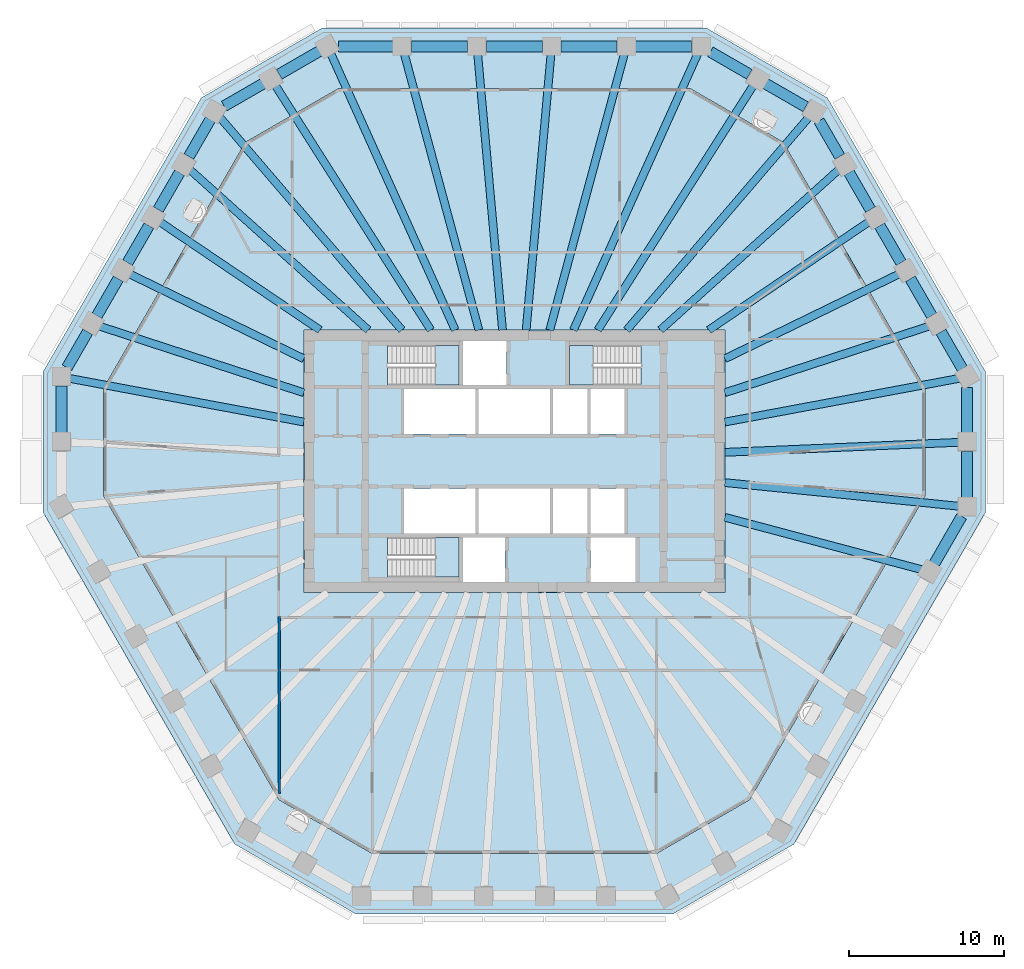
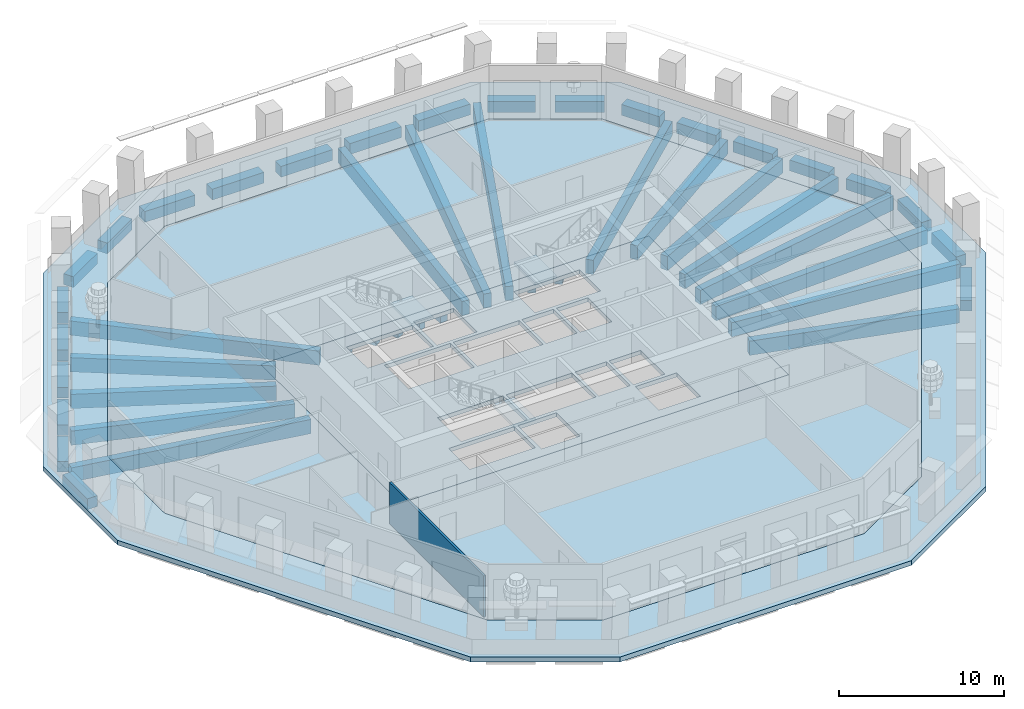
# One storey, part 2 of 13: 46 beams, 6 slabs, 1 wall, 3 elements without a shape of their own.
"""IFC4 building model written with IfcOpenShell, lengths in metres."""

from ifc_helpers import new_model, si_unit, direction, frame, frame_2d, origin, origin_2d, place, context, subcontext, project, spatial, polyline, rectangle, outline, extrude, material, layer, layer_set, material_profile, profile_set, type_object, element, aggregate, save


model = new_model("IFC4")

# Units and contexts
model_context = context("Model", 3, precision=1e-05, world=origin(), true_north=direction((0.0, 1.0)))
body_context = subcontext(model_context, "Body", "Model", "MODEL_VIEW")
ifc_project = project(units=[si_unit("LENGTHUNIT", "METRE"), si_unit("AREAUNIT", "SQUARE_METRE"), si_unit("VOLUMEUNIT", "CUBIC_METRE"), si_unit("PLANEANGLEUNIT", "RADIAN"), si_unit("MASSUNIT", "GRAM", prefix="KILO")], contexts=[model_context])

# Site, building, storey
site_placement = place(None, origin())
site = spatial("IfcSite", under=ifc_project, at=site_placement, CompositionType="ELEMENT")
building_placement = place(site_placement, origin())
building = spatial("IfcBuilding", under=site, at=building_placement, Name="Frailejon Research Tower", CompositionType="ELEMENT")
storey_placement = place(building_placement, frame((0.0, 0.0, 184.800048828125)))
storey = spatial("IfcBuildingStorey", under=building, at=storey_placement, Name="L40", CompositionType="ELEMENT", Elevation=184.800048828125)

# Beams
ifc_material_1 = material(Name="Concrete C60/75", Category="concrete")
ifc_material_profile_1 = material_profile(ifc_material_1, rectangle(XDim=0.5, YDim=1.050048828125, at=origin_2d()), Name="Girder 500x1050")
ifc_profile_set_1 = profile_set([ifc_material_profile_1], Name="Concrete C60/75")
beam_type_1 = type_object("IfcBeamType", Name="Girder 500x1050", PredefinedType="BEAM", material=ifc_profile_set_1)
beam_1_placement = place(storey_placement, frame((28.680419921875, -2.897705078125, -0.824951171875), z_axis=(-0.994933978028, 0.100530489728, 0.0), x_axis=(-0.100530489728, -0.994933978028, 0.0)))
element("IfcBeam", 1, at=beam_1_placement, inside=storey, type_object=beam_type_1, Name="Girder 500x1050", PredefinedType="BEAM", context=body_context, shape_type="SweptSolid", body=[
    extrude(rectangle(XDim=0.5, YDim=1.050048828125, at=origin_2d()), origin(), (0.0, 0.0, 1.0), 15.20751953125),
])
beam_2_placement = place(storey_placement, frame((28.68115234375, 1.225341796875, -0.824951171875), z_axis=(-0.999088512393, -0.042686583423, 0.0), x_axis=(0.042686583423, -0.999088512393, 0.0)))
element("IfcBeam", 2, at=beam_2_placement, inside=storey, type_object=beam_type_1, Name="Girder 500x1050", PredefinedType="BEAM", context=body_context, shape_type="SweptSolid", body=[
    extrude(rectangle(XDim=0.5, YDim=1.050048828125, at=origin_2d()), origin(), (0.0, 0.0, 1.0), 15.14501953125),
])
beam_3_placement = place(storey_placement, frame((28.6533203125, 5.343017578125, -0.824951171875), z_axis=(-0.983053941142, -0.183316526276, 0.0), x_axis=(0.183316526276, -0.983053941142, 0.0)))
element("IfcBeam", 3, at=beam_3_placement, inside=storey, type_object=beam_type_1, Name="Girder 500x1050", PredefinedType="BEAM", context=body_context, shape_type="SweptSolid", body=[
    extrude(rectangle(XDim=0.5, YDim=1.050048828125, at=origin_2d()), origin(), (0.0, 0.0, 1.0), 15.363525390625),
])
beam_4_placement = place(storey_placement, frame((26.718505859375, 8.70458984375, -0.824951171875), z_axis=(-0.950810228378, -0.309773965354, 0.0), x_axis=(0.309773965354, -0.950810228378, 0.0)))
element("IfcBeam", 4, at=beam_4_placement, inside=storey, type_object=beam_type_1, Name="Girder 500x1050", PredefinedType="BEAM", context=body_context, shape_type="SweptSolid", body=[
    extrude(rectangle(XDim=0.5, YDim=1.050048828125, at=origin_2d()), origin(), (0.0, 0.0, 1.0), 13.849609375),
])
beam_5_placement = place(storey_placement, frame((24.781005859375, 12.06640625, -0.824951171875), z_axis=(-0.899083966775, -0.43777622216, 0.0), x_axis=(0.43777622216, -0.899083966775, 0.0)))
element("IfcBeam", 5, at=beam_5_placement, inside=storey, type_object=beam_type_1, Name="Girder 500x1050", PredefinedType="BEAM", context=body_context, shape_type="SweptSolid", body=[
    extrude(rectangle(XDim=0.5, YDim=1.050048828125, at=origin_2d()), origin(), (0.0, 0.0, 1.0), 12.491455078125),
])
beam_6_placement = place(storey_placement, frame((22.84033203125, 15.427490234375, -0.824951171875), z_axis=(-0.828678581186, -0.5597247619, 0.0), x_axis=(0.5597247619, -0.828678581186, 0.0)))
element("IfcBeam", 6, at=beam_6_placement, inside=storey, type_object=beam_type_1, Name="Girder 500x1050", PredefinedType="BEAM", context=body_context, shape_type="SweptSolid", body=[
    extrude(rectangle(XDim=0.5, YDim=1.050048828125, at=origin_2d()), origin(), (0.0, 0.0, 1.0), 12.466064453125),
])
beam_7_placement = place(storey_placement, frame((20.897705078125, 18.78662109375, -0.824951171875), z_axis=(-0.743673254455, -0.668543260088, 0.0), x_axis=(0.668543260088, -0.743673254455, 0.0)))
element("IfcBeam", 7, at=beam_7_placement, inside=storey, type_object=beam_type_1, Name="Girder 500x1050", PredefinedType="BEAM", context=body_context, shape_type="SweptSolid", body=[
    extrude(rectangle(XDim=0.5, YDim=1.050048828125, at=origin_2d()), origin(), (0.0, 0.0, 1.0), 15.46142578125),
])
beam_8_placement = place(storey_placement, frame((18.970703125, 22.16259765625, -0.824951171875), z_axis=(-0.650283302156, -0.759691797334, 0.0), x_axis=(0.759691797334, -0.650283302156, 0.0)))
element("IfcBeam", 8, at=beam_8_placement, inside=storey, type_object=beam_type_1, Name="Girder 500x1050", PredefinedType="BEAM", context=body_context, shape_type="SweptSolid", body=[
    extrude(rectangle(XDim=0.5, YDim=1.050048828125, at=origin_2d()), origin(), (0.0, 0.0, 1.0), 18.05029296875),
])
beam_9_placement = place(storey_placement, frame((15.401611328125, 24.22607421875, -0.824951171875), z_axis=(-0.536501934666, -0.843899089998, 0.0), x_axis=(0.843899089998, -0.536501934666, 0.0)))
element("IfcBeam", 9, at=beam_9_placement, inside=storey, type_object=beam_type_1, Name="Girder 500x1050", PredefinedType="BEAM", context=body_context, shape_type="SweptSolid", body=[
    extrude(rectangle(XDim=0.5, YDim=1.050048828125, at=origin_2d()), origin(), (0.0, 0.0, 1.0), 18.6943359375),
])
beam_10_placement = place(storey_placement, frame((11.808349609375, 26.23681640625, -0.824951171875), z_axis=(-0.410419322872, -0.911896912712, 0.0), x_axis=(0.911896912712, -0.410419322872, 0.0)))
element("IfcBeam", 10, at=beam_10_placement, inside=storey, type_object=beam_type_1, Name="Girder 500x1050", PredefinedType="BEAM", context=body_context, shape_type="SweptSolid", body=[
    extrude(rectangle(XDim=0.5, YDim=1.050048828125, at=origin_2d()), origin(), (0.0, 0.0, 1.0), 19.50537109375),
])
beam_11_placement = place(storey_placement, frame((7.087158203125, 26.244873046875, -0.824951171875), z_axis=(-0.260705850709, -0.965418282096, 0.0), x_axis=(0.965418282096, -0.260705850709, 0.0)))
element("IfcBeam", 11, at=beam_11_placement, inside=storey, type_object=beam_type_1, Name="Girder 500x1050", PredefinedType="BEAM", context=body_context, shape_type="SweptSolid", body=[
    extrude(rectangle(XDim=0.5, YDim=1.050048828125, at=origin_2d()), origin(), (0.0, 0.0, 1.0), 18.432373046875),
])
for number, where, z_axis, x_axis, name in (
    (12, (2.36279296875, 26.24951171875, -0.824951171875), (-0.08965626449, -0.995972767819, 0.0), (0.995972767819, -0.08965626449, 0.0), "Girder 500x1050"),
    (13, (-2.36279296875, 26.24951171875, -0.824951171875), (0.08965626449, -0.995972767819, 0.0), (0.995972767819, 0.08965626449, 0.0), "Girder 500x1050"),
):
    element("IfcBeam", number, at=place(storey_placement, frame(where, z_axis=z_axis, x_axis=x_axis)), inside=storey, type_object=beam_type_1, Name=name, PredefinedType="BEAM", context=body_context, shape_type="SweptSolid", body=[
        extrude(rectangle(XDim=0.5, YDim=1.050048828125, at=origin_2d()), origin(), (0.0, 0.0, 1.0), 17.87158203125),
    ])
beam_12_placement = place(storey_placement, frame((-7.087158203125, 26.244873046875, -0.824951171875), z_axis=(0.260705850709, -0.965418282096, 0.0), x_axis=(0.965418282096, 0.260705850709, 0.0)))
element("IfcBeam", 14, at=beam_12_placement, inside=storey, type_object=beam_type_1, Name="Girder 500x1050", PredefinedType="BEAM", context=body_context, shape_type="SweptSolid", body=[
    extrude(rectangle(XDim=0.5, YDim=1.050048828125, at=origin_2d()), origin(), (0.0, 0.0, 1.0), 18.432373046875),
])
beam_13_placement = place(storey_placement, frame((-11.8310546875, 26.286865234375, -0.824951171875), z_axis=(0.410426953791, -0.91189347821, 0.0), x_axis=(0.91189347821, 0.410426953791, 0.0)))
element("IfcBeam", 15, at=beam_13_placement, inside=storey, type_object=beam_type_1, Name="Girder 500x1050", PredefinedType="BEAM", context=body_context, shape_type="SweptSolid", body=[
    extrude(rectangle(XDim=0.5, YDim=1.050048828125, at=origin_2d()), origin(), (0.0, 0.0, 1.0), 19.560302734375),
])
beam_14_placement = place(storey_placement, frame((-15.401611328125, 24.22607421875, -0.824951171875), z_axis=(0.536501934666, -0.843899089998, 0.0), x_axis=(0.843899089998, 0.536501934666, 0.0)))
element("IfcBeam", 16, at=beam_14_placement, inside=storey, type_object=beam_type_1, Name="Girder 500x1050", PredefinedType="BEAM", context=body_context, shape_type="SweptSolid", body=[
    extrude(rectangle(XDim=0.5, YDim=1.050048828125, at=origin_2d()), origin(), (0.0, 0.0, 1.0), 18.6943359375),
])
beam_15_placement = place(storey_placement, frame((-18.95361328125, 22.14306640625, -0.824951171875), z_axis=(0.650271409204, -0.759701977338, 0.0), x_axis=(0.759701977338, 0.650271409204, 0.0)))
element("IfcBeam", 17, at=beam_15_placement, inside=storey, type_object=beam_type_1, Name="Girder 500x1050", PredefinedType="BEAM", context=body_context, shape_type="SweptSolid", body=[
    extrude(rectangle(XDim=0.5, YDim=1.050048828125, at=origin_2d()), origin(), (0.0, 0.0, 1.0), 18.0244140625),
])
beam_16_placement = place(storey_placement, frame((-20.897705078125, 18.78662109375, -0.824951171875), z_axis=(0.743673254455, -0.668543260088, 0.0), x_axis=(0.668543260088, 0.743673254455, 0.0)))
element("IfcBeam", 18, at=beam_16_placement, inside=storey, type_object=beam_type_1, Name="Girder 500x1050", PredefinedType="BEAM", context=body_context, shape_type="SweptSolid", body=[
    extrude(rectangle(XDim=0.5, YDim=1.050048828125, at=origin_2d()), origin(), (0.0, 0.0, 1.0), 15.46142578125),
])
beam_17_placement = place(storey_placement, frame((-22.84033203125, 15.427490234375, -0.824951171875), z_axis=(0.828678581186, -0.5597247619, 0.0), x_axis=(0.5597247619, 0.828678581186, 0.0)))
element("IfcBeam", 19, at=beam_17_placement, inside=storey, type_object=beam_type_1, Name="Girder 500x1050", PredefinedType="BEAM", context=body_context, shape_type="SweptSolid", body=[
    extrude(rectangle(XDim=0.5, YDim=1.050048828125, at=origin_2d()), origin(), (0.0, 0.0, 1.0), 12.466064453125),
])
beam_18_placement = place(storey_placement, frame((-24.781005859375, 12.06640625, -0.824951171875), z_axis=(0.899083966775, -0.43777622216, 0.0), x_axis=(0.43777622216, 0.899083966775, 0.0)))
element("IfcBeam", 20, at=beam_18_placement, inside=storey, type_object=beam_type_1, Name="Girder 500x1050", PredefinedType="BEAM", context=body_context, shape_type="SweptSolid", body=[
    extrude(rectangle(XDim=0.5, YDim=1.050048828125, at=origin_2d()), origin(), (0.0, 0.0, 1.0), 12.491455078125),
])
beam_19_placement = place(storey_placement, frame((-26.718505859375, 8.70458984375, -0.824951171875), z_axis=(0.950810228378, -0.309773965354, 0.0), x_axis=(0.309773965354, 0.950810228378, 0.0)))
element("IfcBeam", 21, at=beam_19_placement, inside=storey, type_object=beam_type_1, Name="Girder 500x1050", PredefinedType="BEAM", context=body_context, shape_type="SweptSolid", body=[
    extrude(rectangle(XDim=0.5, YDim=1.050048828125, at=origin_2d()), origin(), (0.0, 0.0, 1.0), 13.849609375),
])
beam_20_placement = place(storey_placement, frame((-28.6787109375, 5.34765625, -0.824951171875), z_axis=(0.983055066274, -0.183310492533, 0.0), x_axis=(0.183310492533, 0.983055066274, 0.0)))
element("IfcBeam", 22, at=beam_20_placement, inside=storey, type_object=beam_type_1, Name="Girder 500x1050", PredefinedType="BEAM", context=body_context, shape_type="SweptSolid", body=[
    extrude(rectangle(XDim=0.5, YDim=1.050048828125, at=origin_2d()), origin(), (0.0, 0.0, 1.0), 15.389404296875),
])
beam_21_placement = place(storey_placement, frame((26.272216796875, -6.98486328125, -0.824951171875), z_axis=(-0.966423984954, 0.256952683008, 0.0), x_axis=(-0.256952683008, -0.966423984954, 0.0)))
element("IfcBeam", 23, at=beam_21_placement, inside=storey, type_object=beam_type_1, Name="Girder 500x1050", PredefinedType="BEAM", context=body_context, shape_type="SweptSolid", body=[
    extrude(rectangle(XDim=0.5, YDim=1.050048828125, at=origin_2d()), origin(), (0.0, 0.0, 1.0), 13.1640625),
])
ifc_material_2 = material(Name="Concrete C60/75", Category="concrete")
ifc_material_profile_2 = material_profile(ifc_material_2, rectangle(XDim=0.699951171875, YDim=0.800048828125, at=origin_2d()), Name="Spandrel 700x800")
ifc_profile_set_2 = profile_set([ifc_material_profile_2], Name="Concrete C60/75")
beam_type_2 = type_object("IfcBeamType", Name="Spandrel 700x800", PredefinedType="BEAM", material=ifc_profile_set_2)
beam_22_placement = place(storey_placement, frame((29.13134765625, -2.343017578125, -0.75), z_axis=(0.0, 1.0, 0.0), x_axis=(-1.0, 0.0, 0.0)))
element("IfcBeam", 24, at=beam_22_placement, inside=storey, type_object=beam_type_2, Name="Spandrel 700x800", PredefinedType="BEAM", context=body_context, shape_type="SweptSolid", body=[
    extrude(rectangle(XDim=0.699951171875, YDim=0.800048828125, at=origin_2d()), origin(), (0.0, 0.0, 1.0), 2.987548828125),
])
beam_23_placement = place(storey_placement, frame((29.13134765625, 1.844482421875, -0.75), z_axis=(0.0, 1.0, 0.0), x_axis=(-1.0, 0.0, 0.0)))
element("IfcBeam", 25, at=beam_23_placement, inside=storey, type_object=beam_type_2, Name="Spandrel 700x800", PredefinedType="BEAM", context=body_context, shape_type="SweptSolid", body=[
    extrude(rectangle(XDim=0.699951171875, YDim=0.800048828125, at=origin_2d()), origin(), (0.0, 0.0, 1.0), 2.894775390625),
])
for number, where, z_axis, x_axis, name in (
    (26, (28.831298828125, 5.95166015625, -0.75), (-0.499994514761, 0.866028570666, 0.0), (-0.866028570666, -0.499994514761, 0.0), "Spandrel 700x800"),
    (27, (26.85888671875, 9.36767578125, -0.75), (-0.499927796446, 0.866067086513, 0.0), (-0.866067086513, -0.499927796446, 0.0), "Spandrel 700x800"),
    (28, (24.88671875, 12.78369140625, -0.75), (-0.499994514761, 0.866028570666, 0.0), (-0.866028570666, -0.499994514761, 0.0), "Spandrel 700x800"),
    (29, (22.91455078125, 16.199951171875, -0.75), (-0.499994514761, 0.866028570666, 0.0), (-0.866028570666, -0.499994514761, 0.0), "Spandrel 700x800"),
):
    element("IfcBeam", number, at=place(storey_placement, frame(where, z_axis=z_axis, x_axis=x_axis)), inside=storey, type_object=beam_type_2, Name=name, PredefinedType="BEAM", context=body_context, shape_type="SweptSolid", body=[
        extrude(rectangle(XDim=0.699951171875, YDim=0.800048828125, at=origin_2d()), origin(), (0.0, 0.0, 1.0), 2.74462890625),
    ])
beam_24_placement = place(storey_placement, frame((20.942138671875, 19.615966796875, -0.75), z_axis=(-0.500030615261, 0.866007727334, 0.0), x_axis=(-0.866007727334, -0.500030615261, 0.0)))
element("IfcBeam", 30, at=beam_24_placement, inside=storey, type_object=beam_type_2, Name="Spandrel 700x800", PredefinedType="BEAM", context=body_context, shape_type="SweptSolid", body=[
    extrude(rectangle(XDim=0.699951171875, YDim=0.800048828125, at=origin_2d()), origin(), (0.0, 0.0, 1.0), 2.651611328125),
])
beam_25_placement = place(storey_placement, frame((18.750244140625, 22.8125, -0.75), z_axis=(-0.86603180189, 0.499988917992, 0.0), x_axis=(-0.499988917992, -0.86603180189, 0.0)))
element("IfcBeam", 31, at=beam_25_placement, inside=storey, type_object=beam_type_2, Name="Spandrel 700x800", PredefinedType="BEAM", context=body_context, shape_type="SweptSolid", body=[
    extrude(rectangle(XDim=0.699951171875, YDim=0.800048828125, at=origin_2d()), origin(), (0.0, 0.0, 1.0), 2.9873046875),
])
beam_26_placement = place(storey_placement, frame((15.123779296875, 24.90625, -0.75), z_axis=(-0.866033897268, 0.499985288567, 0.0), x_axis=(-0.499985288567, -0.866033897268, 0.0)))
element("IfcBeam", 32, at=beam_26_placement, inside=storey, type_object=beam_type_2, Name="Spandrel 700x800", PredefinedType="BEAM", context=body_context, shape_type="SweptSolid", body=[
    extrude(rectangle(XDim=0.699951171875, YDim=0.800048828125, at=origin_2d()), origin(), (0.0, 0.0, 1.0), 2.89453125),
])
beam_27_placement = place(storey_placement, frame((11.4169921875, 26.699951171875, -0.75), z_axis=(-1.0, 0.0, 0.0), x_axis=(0.0, -1.0, 0.0)))
element("IfcBeam", 33, at=beam_27_placement, inside=storey, type_object=beam_type_2, Name="Spandrel 700x800", PredefinedType="BEAM", context=body_context, shape_type="SweptSolid", body=[
    extrude(rectangle(XDim=0.699951171875, YDim=0.800048828125, at=origin_2d()), origin(), (0.0, 0.0, 1.0), 3.60693359375),
])
beam_28_placement = place(storey_placement, frame((6.610107421875, 26.699951171875, -0.75), z_axis=(-1.0, 0.0, 0.0), x_axis=(0.0, -1.0, 0.0)))
element("IfcBeam", 34, at=beam_28_placement, inside=storey, type_object=beam_type_2, Name="Spandrel 700x800", PredefinedType="BEAM", context=body_context, shape_type="SweptSolid", body=[
    extrude(rectangle(XDim=0.699951171875, YDim=0.800048828125, at=origin_2d()), origin(), (0.0, 0.0, 1.0), 3.606689453125),
])
beam_29_placement = place(storey_placement, frame((1.803466796875, 26.699951171875, -0.75), z_axis=(-1.0, 0.0, 0.0), x_axis=(0.0, -1.0, 0.0)))
element("IfcBeam", 35, at=beam_29_placement, inside=storey, type_object=beam_type_2, Name="Spandrel 700x800", PredefinedType="BEAM", context=body_context, shape_type="SweptSolid", body=[
    extrude(rectangle(XDim=0.699951171875, YDim=0.800048828125, at=origin_2d()), origin(), (0.0, 0.0, 1.0), 3.60693359375),
])
beam_30_placement = place(storey_placement, frame((-3.00341796875, 26.699951171875, -0.75), z_axis=(-1.0, 0.0, 0.0), x_axis=(0.0, -1.0, 0.0)))
element("IfcBeam", 36, at=beam_30_placement, inside=storey, type_object=beam_type_2, Name="Spandrel 700x800", PredefinedType="BEAM", context=body_context, shape_type="SweptSolid", body=[
    extrude(rectangle(XDim=0.699951171875, YDim=0.800048828125, at=origin_2d()), origin(), (0.0, 0.0, 1.0), 3.606689453125),
])
beam_31_placement = place(storey_placement, frame((-7.81005859375, 26.699951171875, -0.75), z_axis=(-1.0, 0.0, 0.0), x_axis=(0.0, -1.0, 0.0)))
element("IfcBeam", 37, at=beam_31_placement, inside=storey, type_object=beam_type_2, Name="Spandrel 700x800", PredefinedType="BEAM", context=body_context, shape_type="SweptSolid", body=[
    extrude(rectangle(XDim=0.699951171875, YDim=0.800048828125, at=origin_2d()), origin(), (0.0, 0.0, 1.0), 3.51416015625),
])
beam_32_placement = place(storey_placement, frame((-12.53662109375, 26.39990234375, -0.75), z_axis=(-0.86603180189, -0.499988917992, 0.0), x_axis=(0.499988917992, -0.86603180189, 0.0)))
element("IfcBeam", 38, at=beam_32_placement, inside=storey, type_object=beam_type_2, Name="Spandrel 700x800", PredefinedType="BEAM", context=body_context, shape_type="SweptSolid", body=[
    extrude(rectangle(XDim=0.699951171875, YDim=0.800048828125, at=origin_2d()), origin(), (0.0, 0.0, 1.0), 2.9873046875),
])
beam_33_placement = place(storey_placement, frame((-16.1630859375, 24.30615234375, -0.75), z_axis=(-0.866033897268, -0.499985288567, 0.0), x_axis=(0.499985288567, -0.866033897268, 0.0)))
element("IfcBeam", 39, at=beam_33_placement, inside=storey, type_object=beam_type_2, Name="Spandrel 700x800", PredefinedType="BEAM", context=body_context, shape_type="SweptSolid", body=[
    extrude(rectangle(XDim=0.699951171875, YDim=0.800048828125, at=origin_2d()), origin(), (0.0, 0.0, 1.0), 2.89453125),
])
for number, where, z_axis, x_axis, name in (
    (40, (-19.56982421875, 21.992919921875, -0.75), (-0.499994514761, -0.866028570666, 0.0), (0.866028570666, -0.499994514761, 0.0), "Spandrel 700x800"),
    (41, (-21.542236328125, 18.576904296875, -0.75), (-0.499994514761, -0.866028570666, 0.0), (0.866028570666, -0.499994514761, 0.0), "Spandrel 700x800"),
    (42, (-23.514404296875, 15.16064453125, -0.75), (-0.499994514761, -0.866028570666, 0.0), (0.866028570666, -0.499994514761, 0.0), "Spandrel 700x800"),
    (43, (-25.48681640625, 11.74462890625, -0.75), (-0.499927796446, -0.866067086513, 0.0), (0.866067086513, -0.499927796446, 0.0), "Spandrel 700x800"),
):
    element("IfcBeam", number, at=place(storey_placement, frame(where, z_axis=z_axis, x_axis=x_axis)), inside=storey, type_object=beam_type_2, Name=name, PredefinedType="BEAM", context=body_context, shape_type="SweptSolid", body=[
        extrude(rectangle(XDim=0.699951171875, YDim=0.800048828125, at=origin_2d()), origin(), (0.0, 0.0, 1.0), 2.74462890625),
    ])
beam_34_placement = place(storey_placement, frame((-27.458984375, 8.32861328125, -0.75), z_axis=(-0.499990748927, -0.866030744828, 0.0), x_axis=(0.866030744828, -0.499990748927, 0.0)))
element("IfcBeam", 44, at=beam_34_placement, inside=storey, type_object=beam_type_2, Name="Spandrel 700x800", PredefinedType="BEAM", context=body_context, shape_type="SweptSolid", body=[
    extrude(rectangle(XDim=0.699951171875, YDim=0.800048828125, at=origin_2d()), origin(), (0.0, 0.0, 1.0), 2.65185546875),
])
beam_35_placement = place(storey_placement, frame((-29.13134765625, 4.83203125, -0.75), z_axis=(0.0, -1.0, 0.0), x_axis=(1.0, 0.0, 0.0)))
element("IfcBeam", 45, at=beam_35_placement, inside=storey, type_object=beam_type_2, Name="Spandrel 700x800", PredefinedType="BEAM", context=body_context, shape_type="SweptSolid", body=[
    extrude(rectangle(XDim=0.699951171875, YDim=0.800048828125, at=origin_2d()), origin(), (0.0, 0.0, 1.0), 2.987548828125),
])
beam_36_placement = place(storey_placement, frame((27.02783203125, -6.586181640625, -0.75), z_axis=(0.500047223642, 0.865998137485, 0.0), x_axis=(-0.865998137485, 0.500047223642, 0.0)))
element("IfcBeam", 46, at=beam_36_placement, inside=storey, type_object=beam_type_2, Name="Spandrel 700x800", PredefinedType="BEAM", context=body_context, shape_type="SweptSolid", body=[
    extrude(rectangle(XDim=0.699951171875, YDim=0.800048828125, at=origin_2d()), origin(), (0.0, 0.0, 1.0), 3.513916015625),
])

# Slabs
ifc_material_3 = material(Name="Concrete C60/75", Category="concrete")
ifc_layer_1 = layer(ifc_material_3, 0.300048828125)
ifc_layer_set_1 = layer_set([ifc_layer_1], Name="Core floor slab 300 C60/75")
slab_type_1 = type_object("IfcSlabType", Name="Core floor slab 300 C60/75", PredefinedType="FLOOR", material=ifc_layer_set_1)
slab_1_placement = place(storey_placement, frame((0.0, 0.0, -0.300048828125)))
element("IfcSlab", 47, at=slab_1_placement, inside=storey, type_object=slab_type_1, Name="Core floor slab", PredefinedType="FLOOR", context=body_context, shape_type="SweptSolid", body=[
    extrude(outline(polyline([(13.550048828125, -8.449951171875), (13.550048828125, 8.449951171875), (-13.550048828125, 8.449951171875), (-13.550048828125, -8.449951171875), (13.550048828125, -8.449951171875)]), holes=[polyline([(-2.5, 1.75), (-2.5, 4.64990234375), (-7.10009765625, 4.64990234375), (-7.10009765625, 1.75), (-2.5, 1.75)]), polyline([(2.300048828125, 1.75), (2.300048828125, 4.64990234375), (-2.300048828125, 4.64990234375), (-2.300048828125, 1.75), (2.300048828125, 1.75)]), polyline([(4.699951171875, 1.75), (4.699951171875, 4.64990234375), (2.5, 4.64990234375), (2.5, 1.75), (4.699951171875, 1.75)]), polyline([(7.10009765625, 1.75), (7.10009765625, 4.64990234375), (4.89990234375, 4.64990234375), (4.89990234375, 1.75), (7.10009765625, 1.75)]), polyline([(-2.5, -4.64990234375), (-2.5, -1.75), (-7.10009765625, -1.75), (-7.10009765625, -4.64990234375), (-2.5, -4.64990234375)]), polyline([(2.300048828125, -4.64990234375), (2.300048828125, -1.75), (-2.300048828125, -1.75), (-2.300048828125, -4.64990234375), (2.300048828125, -4.64990234375)]), polyline([(4.699951171875, -4.64990234375), (4.699951171875, -1.75), (2.5, -1.75), (2.5, -4.64990234375), (4.699951171875, -4.64990234375)]), polyline([(7.10009765625, -4.64990234375), (7.10009765625, -1.75), (4.89990234375, -1.75), (4.89990234375, -4.64990234375), (7.10009765625, -4.64990234375)]), polyline([(-8.14697265625, 4.89990234375), (-3.550048828125, 4.89990234375), (-3.550048828125, 7.449951171875), (-8.14697265625, 7.449951171875), (-8.14697265625, 4.89990234375)]), polyline([(-8.14697265625, -7.449951171875), (-3.550048828125, -7.449951171875), (-3.550048828125, -4.89990234375), (-8.14697265625, -4.89990234375), (-8.14697265625, -7.449951171875)]), polyline([(8.14697265625, 7.449951171875), (3.550048828125, 7.449951171875), (3.550048828125, 4.89990234375), (8.14697265625, 4.89990234375), (8.14697265625, 7.449951171875)]), polyline([(-0.60009765625, -7.75), (-0.60009765625, -4.89990234375), (-3.300048828125, -4.89990234375), (-3.300048828125, -7.75), (-0.60009765625, -7.75)]), polyline([(7.800048828125, -7.75), (7.800048828125, -4.89990234375), (4.89990234375, -4.89990234375), (4.89990234375, -7.75), (7.800048828125, -7.75)]), polyline([(-0.5, 4.89990234375), (-0.5, 7.75), (-3.300048828125, 7.75), (-3.300048828125, 4.89990234375), (-0.5, 4.89990234375)])]), origin(), (0.0, 0.0, 1.0), 0.300048828125),
])
ifc_material_4 = material(Name="Concrete C40/50", Category="concrete")
ifc_layer_2 = layer(ifc_material_4, 0.35009765625)
ifc_layer_set_2 = layer_set([ifc_layer_2], Name="Loggia slab 350")
slab_type_2 = type_object("IfcSlabType", Name="Loggia slab 350", PredefinedType="USERDEFINED", material=ifc_layer_set_2)
slab_2_placement = place(storey_placement, frame((0.0, 0.0, -0.35009765625)))
element("IfcSlab", 48, at=slab_2_placement, inside=storey, type_object=slab_type_2, Name="Loggia slab L40", ObjectType="LOGGIA", PredefinedType="USERDEFINED", context=body_context, shape_type="SweptSolid", body=[
    extrude(outline(polyline([(17.992919921875, -24.635498046875), (10.182861328125, -29.14453125), (-10.182861328125, -29.14453125), (-17.992919921875, -24.635498046875), (-30.331298828125, -3.2646484375), (-30.331298828125, 5.753662109375), (-20.1484375, 23.390869140625), (-12.33837890625, 27.89990234375), (12.33837890625, 27.89990234375), (20.1484375, 23.390869140625), (30.331298828125, 5.753662109375), (30.331298828125, -3.2646484375), (17.992919921875, -24.635498046875)]), holes=[polyline([(26.431396484375, 4.70849609375), (17.29345703125, 20.535888671875), (11.29345703125, 24.0), (-11.29345703125, 24.0), (-17.29345703125, 20.535888671875), (-26.431396484375, 4.70849609375), (-26.431396484375, -2.219482421875), (-15.137939453125, -21.780517578125), (-9.137939453125, -25.244384765625), (9.137939453125, -25.244384765625), (15.137939453125, -21.780517578125), (26.431396484375, -2.219482421875), (26.431396484375, 4.70849609375)])]), origin(), (0.0, 0.0, 1.0), 0.35009765625),
])
ifc_material_5 = material(Name="Concrete C40/50", Category="concrete")
ifc_layer_3 = layer(ifc_material_5, 0.300048828125)
ifc_layer_set_3 = layer_set([ifc_layer_3], Name="Slab typical 300")
slab_type_3 = type_object("IfcSlabType", Name="Slab typical 300", PredefinedType="FLOOR", material=ifc_layer_set_3)
slab_3_placement = place(storey_placement, frame((0.0, 0.0, -0.300048828125)))
element("IfcSlab", 49, at=slab_3_placement, inside=storey, type_object=slab_type_3, Name="Floor slab L40", PredefinedType="FLOOR", context=body_context, shape_type="SweptSolid", body=[
    extrude(outline(polyline([(26.431396484375, -2.219482421875), (26.431396484375, 4.70849609375), (17.29345703125, 20.535888671875), (11.29345703125, 24.0), (-11.29345703125, 24.0), (-17.29345703125, 20.535888671875), (-26.431396484375, 4.70849609375), (-26.431396484375, -2.219482421875), (-15.137939453125, -21.780517578125), (-9.137939453125, -25.244384765625), (9.137939453125, -25.244384765625), (15.137939453125, -21.780517578125), (26.431396484375, -2.219482421875)]), holes=[polyline([(13.550048828125, -8.449951171875), (-13.550048828125, -8.449951171875), (-13.550048828125, 8.449951171875), (13.550048828125, 8.449951171875), (13.550048828125, -8.449951171875)])]), origin(), (0.0, 0.0, 1.0), 0.300048828125),
])

# Stair, slab
ifc_material_6 = material(Name="Concrete C50/60", Category="concrete")
stair_type = type_object("IfcStairType", Name="Exit stair 24 risers", PredefinedType="HALF_TURN_STAIR", material=ifc_material_6)
stair_1_placement = place(storey_placement, origin())
stair_1 = element("IfcStair", 50, at=stair_1_placement, inside=storey, type_object=stair_type, Name="L40 Exit stair ST1", PredefinedType="HALF_TURN_STAIR")
ifc_material_7 = material(Name="Concrete C50/60", Category="concrete")
ifc_layer_4 = layer(ifc_material_7, 0.199951171875)
ifc_layer_set_4 = layer_set([ifc_layer_4], Name="Stair landing slab 200")
slab_type_4 = type_object("IfcSlabType", Name="Stair landing slab 200", PredefinedType="LANDING", material=ifc_layer_set_4)
slab_4_placement = place(storey_placement, frame((0.0, 0.0, 2.0)))
slab_4 = element("IfcSlab", 51, at=slab_4_placement, type_object=slab_type_4, Name="ST1 landing 1", PredefinedType="LANDING", context=body_context, shape_type="SweptSolid", body=[
    extrude(outline(polyline([(-5.070068359375, 4.89990234375), (-3.550048828125, 4.89990234375), (-3.550048828125, 7.449951171875), (-5.070068359375, 7.449951171875), (-5.070068359375, 4.89990234375)])), origin(), (0.0, 0.0, 1.0), 0.199951171875),
])
aggregate(stair_1, [slab_4])

stair_2_placement = place(storey_placement, origin())
stair_2 = element("IfcStair", 52, at=stair_2_placement, inside=storey, type_object=stair_type, Name="L40 Exit stair ST2", PredefinedType="HALF_TURN_STAIR")
slab_5_placement = place(storey_placement, frame((0.0, 0.0, 2.0)))
slab_5 = element("IfcSlab", 53, at=slab_5_placement, type_object=slab_type_4, Name="ST2 landing 1", PredefinedType="LANDING", context=body_context, shape_type="SweptSolid", body=[
    extrude(outline(polyline([(-5.070068359375, -7.449951171875), (-3.550048828125, -7.449951171875), (-3.550048828125, -4.89990234375), (-5.070068359375, -4.89990234375), (-5.070068359375, -7.449951171875)])), origin(), (0.0, 0.0, 1.0), 0.199951171875),
])
aggregate(stair_2, [slab_5])

stair_3_placement = place(storey_placement, origin())
stair_3 = element("IfcStair", 54, at=stair_3_placement, inside=storey, type_object=stair_type, Name="L40 Exit stair ST3", PredefinedType="HALF_TURN_STAIR")
slab_6_placement = place(storey_placement, frame((0.0, 0.0, 2.0)))
slab_6 = element("IfcSlab", 55, at=slab_6_placement, type_object=slab_type_4, Name="ST3 landing 1", PredefinedType="LANDING", context=body_context, shape_type="SweptSolid", body=[
    extrude(outline(polyline([(5.070068359375, 7.449951171875), (3.550048828125, 7.449951171875), (3.550048828125, 4.89990234375), (5.070068359375, 4.89990234375), (5.070068359375, 7.449951171875)])), origin(), (0.0, 0.0, 1.0), 0.199951171875),
])
aggregate(stair_3, [slab_6])

# Wall
ifc_material_8 = material(Name="Gypsum board and masonry partition", Category="masonry")
ifc_layer_5 = layer(ifc_material_8, 0.14990234375)
ifc_layer_set_5 = layer_set([ifc_layer_5], Name="Laboratory partition, blockwork 150")
wall_type = type_object("IfcWallType", Name="Laboratory partition, blockwork 150", PredefinedType="PARTITIONING", material=ifc_layer_set_5)
wall_placement = place(storey_placement, frame((-15.137939453125, -21.38037109375, 0.0), z_axis=(0.0, 0.0, 1.0), x_axis=(0.0, 1.0, 0.0)))
element("IfcWall", 56, at=wall_placement, inside=storey, type_object=wall_type, Name="T:IW:L40:018", PredefinedType="PARTITIONING", context=body_context, shape_type="SweptSolid", body=[
    extrude(rectangle(XDim=11.4052734375, YDim=0.14990234375, at=frame_2d((5.70263671875, 0.0))), origin(), (0.0, 0.0, 1.0), 3.050048828125),
])

save(model, "model.ifc")
